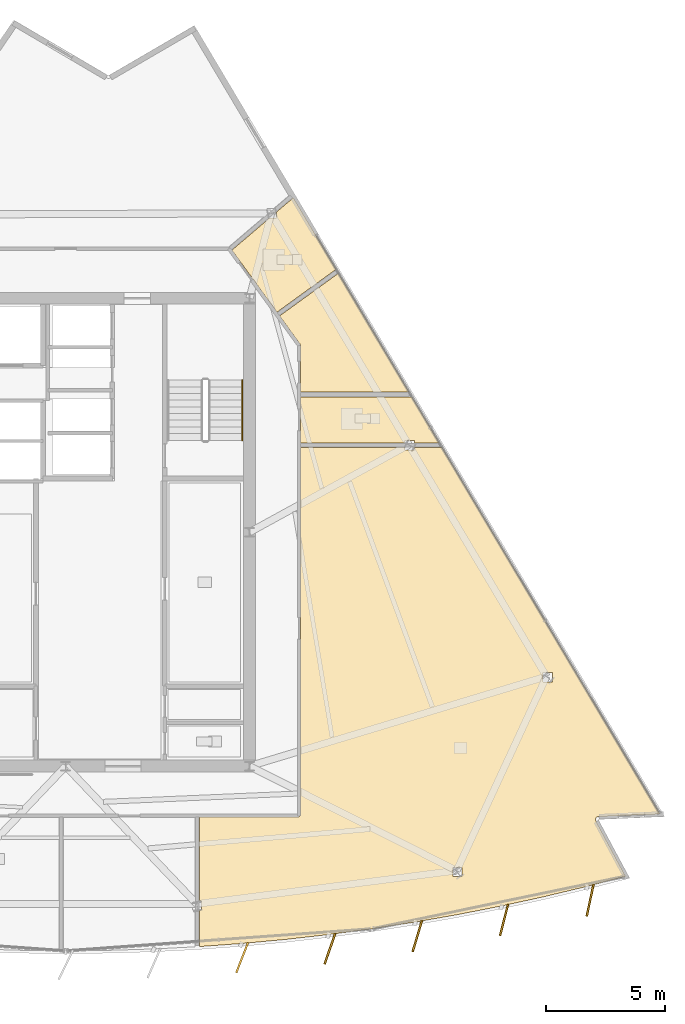
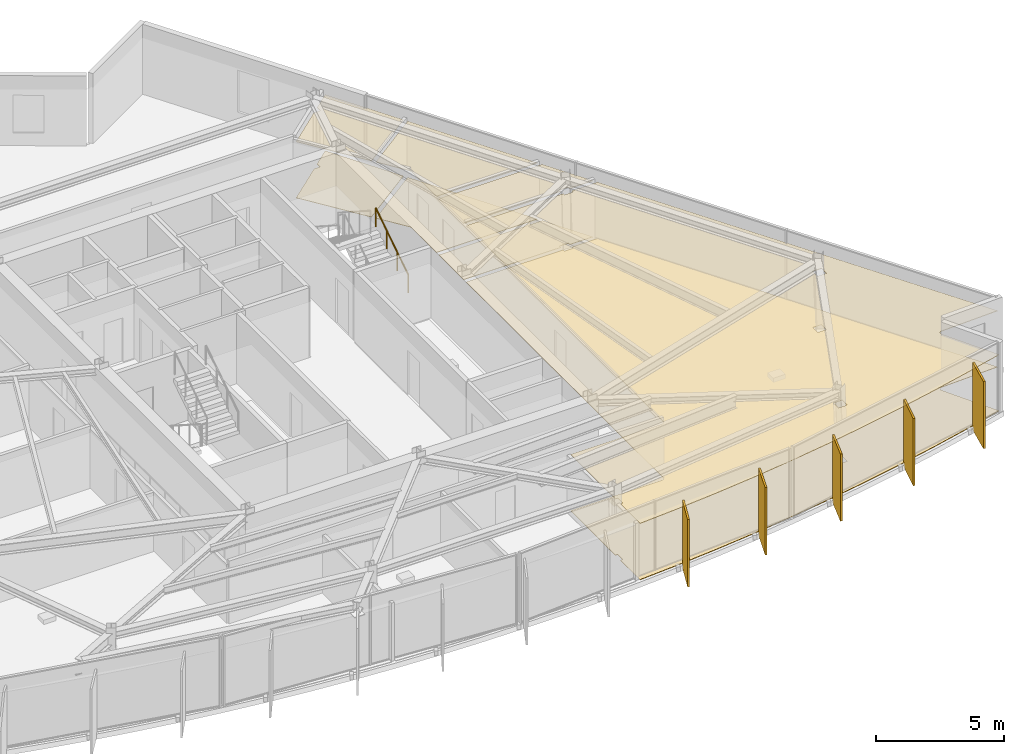
# One storey, part 12 of 13: 8 coverings, 5 shading devices, 1 railing.
"""IFC4 building model written with IfcOpenShell, lengths in metres."""

import ifcopenshell
import ifcopenshell.guid

model = None  # the IFC model being written
_history = None  # IfcOwnerHistory: only IFC2X3 demands one
_inside = {}  # id of a spatial element -> (the spatial element, [elements in it])
_under = {}  # id of a project, library or spatial element -> (it, [spatial elements below it])
_declared = {}  # id of a project -> (the project, [libraries it declares])
_typed = {}  # id of a type object -> (the type object, [elements of that type])
_made_of = {}  # id of a material, layer set ... -> (it, [elements and type objects made of it])


def new_model(schema):
    """Start an empty IFC model of exactly this schema.

    Asked for "IFC4X3", IfcOpenShell would pick the latest addendum, in which some entities
    have other attributes; the version numbers below select the first issue.
    IFC2X3 requires an IfcOwnerHistory on every rooted entity: one is made here for all.
    """
    global model, _history
    if schema == "IFC4X3":
        model = ifcopenshell.file(schema_version=(4, 3, 0, 0))
    else:
        model = ifcopenshell.file(schema=schema)
    _inside.clear()
    _under.clear()
    _declared.clear()
    _typed.clear()
    _made_of.clear()
    _history = None
    if model.schema == "IFC2X3":
        org = make("IfcOrganization", Name="unknown")
        user = make(
            "IfcPersonAndOrganization",
            ThePerson=make("IfcPerson", FamilyName="unknown"),
            TheOrganization=org,
        )
        app = make(
            "IfcApplication",
            ApplicationDeveloper=org,
            Version="unknown",
            ApplicationFullName="unknown",
            ApplicationIdentifier="unknown",
        )
        _history = make(
            "IfcOwnerHistory",
            OwningUser=user,
            OwningApplication=app,
            ChangeAction="ADDED",
            CreationDate=0,
        )
    return model


def make(cls, **values):
    """One entity of the class cls with the attributes given. An attribute that is None is left unset."""
    return model.create_entity(
        cls, **{name: value for name, value in values.items() if value is not None}
    )


def rooted(cls, **values):
    """An entity with a GlobalId (a new one), such as an element, a storey or a relation."""
    return make(cls, GlobalId=ifcopenshell.guid.new(), OwnerHistory=_history, **values)


def si_unit(unit_type, name, prefix=None):
    """IfcSIUnit, for example si_unit("LENGTHUNIT", "METRE", prefix="MILLI")."""
    return make("IfcSIUnit", UnitType=unit_type, Prefix=prefix, Name=name)


def assignment(units):
    """IfcUnitAssignment: the units of a project."""
    return None if units is None else make("IfcUnitAssignment", Units=units)


def point(xyz):
    """IfcCartesianPoint."""
    return None if xyz is None else make("IfcCartesianPoint", Coordinates=xyz)


def direction(xyz):
    """IfcDirection."""
    return None if xyz is None else make("IfcDirection", DirectionRatios=xyz)


def frame(location, z_axis=None, x_axis=None):
    """IfcAxis2Placement3D, a coordinate frame: its origin and axes. An axis left out is left unset."""
    return make(
        "IfcAxis2Placement3D",
        Location=point(location),
        Axis=direction(z_axis),
        RefDirection=direction(x_axis),
    )


def frame_2d(location, x_axis=None):
    """IfcAxis2Placement2D, a coordinate frame in the plane: its origin and x axis."""
    return make(
        "IfcAxis2Placement2D", Location=point(location), RefDirection=direction(x_axis)
    )


def origin():
    """The frame at (0, 0, 0) with its axes left unset."""
    return frame((0.0, 0.0, 0.0))


def origin_2d():
    """The frame at (0, 0) in the plane with its x axis left unset."""
    return frame_2d((0.0, 0.0))


def place(relative_to, where):
    """IfcLocalPlacement: puts the frame where relative to a parent placement (None: the world)."""
    return make(
        "IfcLocalPlacement", PlacementRelTo=relative_to, RelativePlacement=where
    )


def context(
    kind, dimensions, precision=None, world=None, true_north=None, identifier=None
):
    """IfcGeometricRepresentationContext, for example the 3D "Model" context."""
    return make(
        "IfcGeometricRepresentationContext",
        ContextIdentifier=identifier,
        ContextType=kind,
        CoordinateSpaceDimension=dimensions,
        Precision=precision,
        WorldCoordinateSystem=world,
        TrueNorth=true_north,
    )


def subcontext(parent, identifier, kind, view, scale=None):
    """IfcGeometricRepresentationSubContext, for example "Body" below "Model"."""
    return make(
        "IfcGeometricRepresentationSubContext",
        ContextIdentifier=identifier,
        ContextType=kind,
        ParentContext=parent,
        TargetScale=scale,
        TargetView=view,
    )


def project(units=None, contexts=None):
    """IfcProject with its units and contexts."""
    return rooted(
        "IfcProject",
        Name="project",
        RepresentationContexts=contexts,
        UnitsInContext=assignment(units),
    )


def spatial(cls, under=None, at=None, **own):
    """A site, building, storey or space (cls), placed at a placement, below another one or the project."""
    s = rooted(cls, ObjectPlacement=at, **own)
    if under is not None:
        _under.setdefault(under.id(), (under, []))[1].append(s)
    return s


def polyline(points):
    """IfcPolyline through the points."""
    return make("IfcPolyline", Points=[point(p) for p in points])


def profile(cls, at=None, kind="AREA", **sizes):
    """A parametric profile (cls). Its sizes go by their IFC names, for example OverallWidth=200.0."""
    return make(cls, ProfileType=kind, Position=at, **sizes)


def rectangle(**sizes):
    """IfcRectangleProfileDef."""
    return profile("IfcRectangleProfileDef", **sizes)


def circle(**sizes):
    """IfcCircleProfileDef."""
    return profile("IfcCircleProfileDef", **sizes)


def outline(outer, holes=None, kind="AREA"):
    """IfcArbitraryClosedProfileDef: a profile drawn as a closed curve; with holes, ...WithVoids."""
    if holes is None:
        return make("IfcArbitraryClosedProfileDef", ProfileType=kind, OuterCurve=outer)
    return make(
        "IfcArbitraryProfileDefWithVoids",
        ProfileType=kind,
        OuterCurve=outer,
        InnerCurves=holes,
    )


def extrude(swept, where, along, depth):
    """IfcExtrudedAreaSolid: the profile swept, set in the frame where, extruded along a direction by depth."""
    return make(
        "IfcExtrudedAreaSolid",
        SweptArea=swept,
        Position=where,
        ExtrudedDirection=direction(along),
        Depth=depth,
    )


def shape(context_of_items, identifier, shape_type, items):
    """IfcShapeRepresentation: the items that make up one representation, for example the "Body"."""
    return make(
        "IfcShapeRepresentation",
        ContextOfItems=context_of_items,
        RepresentationIdentifier=identifier,
        RepresentationType=shape_type,
        Items=items,
    )


def material(Name=None, Category=None):
    """IfcMaterial."""
    return make("IfcMaterial", Name=Name, Category=Category)


def layer(
    of_material, thickness, ventilated=None, Name=None, Category=None, Priority=None
):
    """IfcMaterialLayer: one layer of a wall or slab, of a material (None: an air gap)."""
    return make(
        "IfcMaterialLayer",
        Material=of_material,
        LayerThickness=thickness,
        IsVentilated=ventilated,
        Name=Name,
        Category=Category,
        Priority=Priority,
    )


def layer_set(layers, Name=None):
    """IfcMaterialLayerSet."""
    return make("IfcMaterialLayerSet", MaterialLayers=layers, LayerSetName=Name)


def made_of(thing, what):
    """Note that an element or type object is made of a material, layer set ...; save() writes the relation."""
    if what is not None:
        _made_of.setdefault(what.id(), (what, []))[1].append(thing)
    return thing


def type_object(cls, material=None, **own):
    """A type object (cls), such as IfcWallType, which elements share."""
    return made_of(rooted(cls, **own), material)


def element(
    cls,
    number,
    at=None,
    inside=None,
    cuts=None,
    type_object=None,
    material=None,
    context=None,
    identifier="Body",
    shape_type=None,
    held_by="IfcProductDefinitionShape",
    body=None,
    shapes=None,
    **own,
):
    """One element of the class cls, such as IfcWall. Its Tag is "e" and its number.

    at: its placement. inside: the storey or other place that contains it. cuts: it is an
    opening in that element (IfcRelVoidsElement). A single representation is given by context,
    identifier, shape_type and body (its items); several are given by shapes. held_by: the class
    of the entity that holds the representations. save() writes the other relations.
    """
    e = rooted(cls, Tag="e%d" % number, ObjectPlacement=at, **own)
    if body is not None:
        shapes = [shape(context, identifier, shape_type, body)]
    if shapes is not None:
        e.Representation = make(held_by, Representations=shapes)
    if inside is not None:
        _inside.setdefault(inside.id(), (inside, []))[1].append(e)
    if cuts is not None:
        rooted(
            "IfcRelVoidsElement", RelatingBuildingElement=cuts, RelatedOpeningElement=e
        )
    if type_object is not None:
        _typed.setdefault(type_object.id(), (type_object, []))[1].append(e)
    return made_of(e, material)


def aggregate(whole, parts):
    """IfcRelAggregates: a whole, such as a stair, and the parts it consists of."""
    return rooted("IfcRelAggregates", RelatingObject=whole, RelatedObjects=parts)


def save(model, path):
    """Write the relations noted so far, then the file.

    IfcRelAggregates (storeys below a building ...), IfcRelContainedInSpatialStructure (elements
    in a storey), IfcRelDefinesByType, IfcRelAssociatesMaterial and IfcRelDeclares: one each for
    every whole, place, type object, material and project.
    """
    for whole, parts in _under.values():
        aggregate(whole, parts)
    for where, things in _inside.values():
        rooted(
            "IfcRelContainedInSpatialStructure",
            RelatedElements=things,
            RelatingStructure=where,
        )
    for kind, things in _typed.values():
        rooted("IfcRelDefinesByType", RelatedObjects=things, RelatingType=kind)
    for what, things in _made_of.values():
        rooted("IfcRelAssociatesMaterial", RelatedObjects=things, RelatingMaterial=what)
    for by, libraries in _declared.values():
        rooted("IfcRelDeclares", RelatingContext=by, RelatedDefinitions=libraries)
    model.write(path)


model = new_model("IFC4")

# Units and contexts
model_context = context("Model", 3, precision=1e-05, world=origin(), true_north=direction((0.0, 1.0)))
body_context = subcontext(model_context, "Body", "Model", "MODEL_VIEW")
ifc_project = project(units=[si_unit("LENGTHUNIT", "METRE"), si_unit("AREAUNIT", "SQUARE_METRE"), si_unit("VOLUMEUNIT", "CUBIC_METRE"), si_unit("PLANEANGLEUNIT", "RADIAN"), si_unit("MASSUNIT", "GRAM", prefix="KILO")], contexts=[model_context])

# Site, building, storey
site_placement = place(None, origin())
site = spatial("IfcSite", under=ifc_project, at=site_placement, CompositionType="ELEMENT")
building_placement = place(site_placement, origin())
building = spatial("IfcBuilding", under=site, at=building_placement, Name="Savorim Split Tower", CompositionType="ELEMENT")
storey_placement = place(building_placement, frame((0.0, 0.0, 223.5)))
storey = spatial("IfcBuildingStorey", under=building, at=storey_placement, Name="L59", CompositionType="ELEMENT", Elevation=223.5)

# Coverings
ifc_material_1 = material(Name="Mineral Fibre Acoustic Ceiling")
ifc_layer_1 = layer(ifc_material_1, 0.02490234375)
ifc_layer_set_1 = layer_set([ifc_layer_1], Name="COV-CEIL-25")
covering_type_1 = type_object("IfcCoveringType", Name="COV-CEIL-25", PredefinedType="CEILING", material=ifc_layer_set_1)
covering_1_placement = place(storey_placement, frame((0.0, 0.0, 2.669921875)))
element("IfcCovering", 1, at=covering_1_placement, inside=storey, type_object=covering_type_1, Name="L59 Community Laundry Room Acoustic Ceiling", PredefinedType="CEILING", context=body_context, shape_type="SweptSolid", body=[
    extrude(outline(polyline([(22.282958984375, -11.518310546875), (22.294189453125, -11.516357421875), (22.305908203125, -11.51513671875), (24.887451171875, -11.405517578125), (15.739990234375, 3.978271484375), (15.739990234375, 3.9453125), (14.6015625, 3.9453125), (14.6015625, 3.84423828125), (14.20751953125, 3.84423828125), (14.20751953125, 3.9453125), (9.840087890625, 3.9453125), (9.840087890625, -11.39990234375), (9.83935546875, -11.413818359375), (9.83740234375, -11.42724609375), (9.833984375, -11.440673828125), (9.829345703125, -11.45361328125), (9.823486328125, -11.466064453125), (9.81640625, -11.477783203125), (9.80810546875, -11.48876953125), (9.799072265625, -11.4990234375), (9.788818359375, -11.50830078125), (9.77783203125, -11.516357421875), (9.76611328125, -11.5234375), (9.753662109375, -11.529296875), (9.740478515625, -11.533935546875), (9.727294921875, -11.537353515625), (9.713623046875, -11.539306640625), (9.699951171875, -11.5400390625), (5.59521484375, -11.5400390625), (5.59521484375, -15.0390625), (5.697265625, -15.0390625), (5.697265625, -15.43115234375), (5.59521484375, -15.43115234375), (5.59521484375, -16.9140625), (5.59521484375, -16.95751953125), (7.3388671875, -16.832275390625), (9.167724609375, -16.663330078125), (10.992919921875, -16.45703125), (12.8134765625, -16.21337890625), (14.62841796875, -15.9326171875), (16.4375, -15.61474609375), (18.23974609375, -15.260009765625), (20.0341796875, -14.868408203125), (21.8203125, -14.440185546875), (23.450927734375, -14.013671875), (22.205078125, -11.69189453125), (22.2001953125, -11.681396484375), (22.1962890625, -11.670654296875), (22.193359375, -11.659423828125), (22.191650390625, -11.64794921875), (22.19091796875, -11.636474609375), (22.19140625, -11.625), (22.19287109375, -11.613525390625), (22.195556640625, -11.602294921875), (22.19921875, -11.59130859375), (22.203857421875, -11.580810546875), (22.209716796875, -11.57080078125), (22.21630859375, -11.561279296875), (22.223876953125, -11.552490234375), (22.232177734375, -11.544677734375), (22.2412109375, -11.537353515625), (22.2509765625, -11.53125), (22.26123046875, -11.52587890625), (22.27197265625, -11.521484375), (22.282958984375, -11.518310546875)]), holes=[polyline([(16.60791015625, -14.0302734375), (16.60791015625, -13.63818359375), (16.2138671875, -13.63818359375), (16.2138671875, -14.0302734375), (16.60791015625, -14.0302734375)]), polyline([(20.38134765625, -5.876220703125), (20.38134765625, -5.484130859375), (19.9873046875, -5.484130859375), (19.9873046875, -5.876220703125), (20.38134765625, -5.876220703125)])]), origin(), (0.0, 0.0, 1.0), 0.025146484375),
])
covering_2_placement = place(storey_placement, frame((0.0, 0.0, 2.669921875)))
element("IfcCovering", 2, at=covering_2_placement, inside=storey, type_object=covering_type_1, Name="L59 Shared Bathroom Acoustic Ceiling", PredefinedType="CEILING", context=body_context, shape_type="SweptSolid", body=[
    extrude(outline(polyline([(14.6015625, 4.236083984375), (14.6015625, 4.13525390625), (15.64501953125, 4.13525390625), (15.646484375, 4.13525390625), (14.49462890625, 6.072509765625), (9.840087890625, 6.072509765625), (9.840087890625, 4.13525390625), (14.20751953125, 4.13525390625), (14.20751953125, 4.236083984375), (14.6015625, 4.236083984375)])), origin(), (0.0, 0.0, 1.0), 0.025146484375),
])
covering_3_placement = place(storey_placement, frame((0.0, 0.0, 2.669921875)))
element("IfcCovering", 3, at=covering_3_placement, inside=storey, type_object=covering_type_1, Name="L59 Co-Living Bedroom Acoustic Ceiling", PredefinedType="CEILING", context=body_context, shape_type="SweptSolid", body=[
    extrude(outline(polyline([(9.8369140625, 8.22900390625), (9.839111328125, 8.214599609375), (9.840087890625, 8.199951171875), (9.840087890625, 6.2626953125), (14.381591796875, 6.2626953125), (11.4189453125, 11.2451171875), (8.95849609375, 9.461181640625), (9.813232421875, 8.2822265625), (9.8212890625, 8.27001953125), (9.827880859375, 8.2568359375), (9.833251953125, 8.2431640625), (9.8369140625, 8.22900390625)])), origin(), (0.0, 0.0, 1.0), 0.025146484375),
])
covering_4_placement = place(storey_placement, frame((0.0, 0.0, 2.669921875)))
element("IfcCovering", 4, at=covering_4_placement, inside=storey, type_object=covering_type_1, Name="L59 Shared Bathroom Acoustic Ceiling", PredefinedType="CEILING", context=body_context, shape_type="SweptSolid", body=[
    extrude(outline(polyline([(8.541259765625, 13.564453125), (6.966796875, 12.22021484375), (6.96142578125, 12.2158203125), (8.846923828125, 9.614990234375), (11.3212890625, 11.408935546875), (9.53515625, 14.4130859375), (8.821533203125, 13.8037109375), (8.821533203125, 13.564453125), (8.541259765625, 13.564453125)])), origin(), (0.0, 0.0, 1.0), 0.025146484375),
])
ifc_material_2 = material(Name="Porcelain Stoneware Flooring", Category="masonry")
ifc_layer_2 = layer(ifc_material_2, 0.02001953125)
ifc_layer_set_2 = layer_set([ifc_layer_2], Name="COV-FLOR-20")
covering_type_2 = type_object("IfcCoveringType", Name="COV-FLOR-20", PredefinedType="FLOORING", material=ifc_layer_set_2)
covering_5_placement = place(storey_placement, origin())
element("IfcCovering", 5, at=covering_5_placement, inside=storey, type_object=covering_type_2, Name="L59 Community Laundry Room Porcelain Flooring", PredefinedType="FLOORING", context=body_context, shape_type="SweptSolid", body=[
    extrude(outline(polyline([(22.282958984375, -11.518310546875), (22.294189453125, -11.516357421875), (22.305908203125, -11.51513671875), (24.887451171875, -11.405517578125), (15.739990234375, 3.978271484375), (15.739990234375, 3.9453125), (14.6015625, 3.9453125), (14.6015625, 3.84423828125), (14.20751953125, 3.84423828125), (14.20751953125, 3.9453125), (9.840087890625, 3.9453125), (9.840087890625, -11.39990234375), (9.83935546875, -11.413818359375), (9.83740234375, -11.42724609375), (9.833984375, -11.440673828125), (9.829345703125, -11.45361328125), (9.823486328125, -11.466064453125), (9.81640625, -11.477783203125), (9.80810546875, -11.48876953125), (9.799072265625, -11.4990234375), (9.788818359375, -11.50830078125), (9.77783203125, -11.516357421875), (9.76611328125, -11.5234375), (9.753662109375, -11.529296875), (9.740478515625, -11.533935546875), (9.727294921875, -11.537353515625), (9.713623046875, -11.539306640625), (9.699951171875, -11.5400390625), (5.59521484375, -11.5400390625), (5.59521484375, -15.0390625), (5.697265625, -15.0390625), (5.697265625, -15.43115234375), (5.59521484375, -15.43115234375), (5.59521484375, -16.9140625), (5.59521484375, -16.95751953125), (7.3388671875, -16.832275390625), (9.167724609375, -16.663330078125), (10.992919921875, -16.45703125), (12.8134765625, -16.21337890625), (14.62841796875, -15.9326171875), (16.4375, -15.61474609375), (18.23974609375, -15.260009765625), (20.0341796875, -14.868408203125), (21.8203125, -14.440185546875), (23.450927734375, -14.013671875), (22.205078125, -11.69189453125), (22.2001953125, -11.681396484375), (22.1962890625, -11.670654296875), (22.193359375, -11.659423828125), (22.191650390625, -11.64794921875), (22.19091796875, -11.636474609375), (22.19140625, -11.625), (22.19287109375, -11.613525390625), (22.195556640625, -11.602294921875), (22.19921875, -11.59130859375), (22.203857421875, -11.580810546875), (22.209716796875, -11.57080078125), (22.21630859375, -11.561279296875), (22.223876953125, -11.552490234375), (22.232177734375, -11.544677734375), (22.2412109375, -11.537353515625), (22.2509765625, -11.53125), (22.26123046875, -11.52587890625), (22.27197265625, -11.521484375), (22.282958984375, -11.518310546875)]), holes=[polyline([(16.60791015625, -14.0302734375), (16.60791015625, -13.63818359375), (16.2138671875, -13.63818359375), (16.2138671875, -14.0302734375), (16.60791015625, -14.0302734375)]), polyline([(20.38134765625, -5.876220703125), (20.38134765625, -5.484130859375), (19.9873046875, -5.484130859375), (19.9873046875, -5.876220703125), (20.38134765625, -5.876220703125)])]), origin(), (0.0, 0.0, 1.0), 0.02001953125),
])
covering_6_placement = place(storey_placement, origin())
element("IfcCovering", 6, at=covering_6_placement, inside=storey, type_object=covering_type_2, Name="L59 Shared Bathroom Porcelain Flooring", PredefinedType="FLOORING", context=body_context, shape_type="SweptSolid", body=[
    extrude(outline(polyline([(14.6015625, 4.236083984375), (14.6015625, 4.13525390625), (15.64501953125, 4.13525390625), (15.646484375, 4.13525390625), (14.49462890625, 6.072509765625), (9.840087890625, 6.072509765625), (9.840087890625, 4.13525390625), (14.20751953125, 4.13525390625), (14.20751953125, 4.236083984375), (14.6015625, 4.236083984375)])), origin(), (0.0, 0.0, 1.0), 0.02001953125),
])
covering_7_placement = place(storey_placement, origin())
element("IfcCovering", 7, at=covering_7_placement, inside=storey, type_object=covering_type_2, Name="L59 Co-Living Bedroom Porcelain Flooring", PredefinedType="FLOORING", context=body_context, shape_type="SweptSolid", body=[
    extrude(outline(polyline([(9.8369140625, 8.22900390625), (9.839111328125, 8.214599609375), (9.840087890625, 8.199951171875), (9.840087890625, 6.2626953125), (14.381591796875, 6.2626953125), (11.4189453125, 11.2451171875), (8.95849609375, 9.461181640625), (9.813232421875, 8.2822265625), (9.8212890625, 8.27001953125), (9.827880859375, 8.2568359375), (9.833251953125, 8.2431640625), (9.8369140625, 8.22900390625)])), origin(), (0.0, 0.0, 1.0), 0.02001953125),
])
covering_8_placement = place(storey_placement, origin())
element("IfcCovering", 8, at=covering_8_placement, inside=storey, type_object=covering_type_2, Name="L59 Shared Bathroom Porcelain Flooring", PredefinedType="FLOORING", context=body_context, shape_type="SweptSolid", body=[
    extrude(outline(polyline([(8.541259765625, 13.564453125), (6.966796875, 12.22021484375), (6.96142578125, 12.2158203125), (8.846923828125, 9.614990234375), (11.3212890625, 11.408935546875), (9.53515625, 14.4130859375), (8.821533203125, 13.8037109375), (8.821533203125, 13.564453125), (8.541259765625, 13.564453125)])), origin(), (0.0, 0.0, 1.0), 0.02001953125),
])

# Railing
ifc_material_3 = material(Name="Galvanised Painted Steel Balustrade", Category="steel")
railing_type = type_object("IfcRailingType", Name="RLG-HR-900", PredefinedType="HANDRAIL", material=ifc_material_3)
railing_placement = place(storey_placement, frame((7.39990234375, 4.25, 0.179931640625)))
element("IfcRailing", 9, at=railing_placement, inside=storey, type_object=railing_type, Name="L59 ST-2 stair handrail 1", PredefinedType="HANDRAIL", context=body_context, shape_type="SweptSolid", body=[
    extrude(circle(Radius=0.02392578125, at=origin_2d()), frame((0.0, 0.0, 0.8759765625), z_axis=(0.0, 0.841162588446, 0.540782303519), x_axis=(-1.0, 0.0, 0.0)), (0.0, 0.0, 1.0), 2.995849609375),
    extrude(circle(Radius=0.02099609375, at=origin_2d()), origin(), (0.0, 0.0, 1.0), 0.851806640625),
    extrude(circle(Radius=0.02099609375, at=origin_2d()), frame((0.0, 0.840087890625, 0.5400390625)), (0.0, 0.0, 1.0), 0.851806640625),
    extrude(circle(Radius=0.02099609375, at=origin_2d()), frame((0.0, 1.679931640625, 1.080078125)), (0.0, 0.0, 1.0), 0.851806640625),
    extrude(circle(Radius=0.02099609375, at=origin_2d()), frame((0.0, 2.52001953125, 1.6201171875)), (0.0, 0.0, 1.0), 0.851806640625),
])

# Shading devices
ifc_material_4 = material(Name="Terracotta Ceramic-Coated Aluminium Fin", Category="masonry")
shading_device_type = type_object("IfcShadingDeviceType", Name="SHD-FIN-1360", PredefinedType="USERDEFINED", material=ifc_material_4)
for number, where, z_axis, x_axis, name in (
    (10, (7.3876953125, -17.42626953125, -0.2001953125), (0.0, 0.0, 1.0), (-0.363415461732, -0.931627179817, 0.0), "L59 Sawtooth Shading Fin 09"),
    (11, (11.06591796875, -17.048583984375, -0.2001953125), (0.0, 0.0, 1.0), (-0.324993810493, -0.945716143005, 0.0), "L59 Sawtooth Shading Fin 10"),
    (12, (14.7255859375, -16.520751953125, -0.2001953125), (0.0, 0.0, 1.0), (-0.286026212504, -0.958221793616, 0.0), "L59 Sawtooth Shading Fin 11"),
    (13, (18.36083984375, -15.843505859375, -0.2001953125), (0.0, 0.0, 1.0), (-0.246581250663, -0.969122121727, 0.0), "L59 Sawtooth Shading Fin 12"),
    (14, (21.965087890625, -15.018310546875, -0.2001953125), (0.0, 0.0, 1.0), (-0.206721626106, -0.978399800337, 0.0), "L59 Sawtooth Shading Fin 13"),
):
    element("IfcShadingDevice", number, at=place(storey_placement, frame(where, z_axis=z_axis, x_axis=x_axis)), inside=storey, type_object=shading_device_type, Name=name, ObjectType="FIN", PredefinedType="USERDEFINED", context=body_context, shape_type="SweptSolid", body=[
        extrude(rectangle(XDim=1.360107421875, YDim=0.080078125, at=origin_2d()), origin(), (0.0, 0.0, 1.0), 3.199951171875),
    ])

save(model, "model.ifc")
